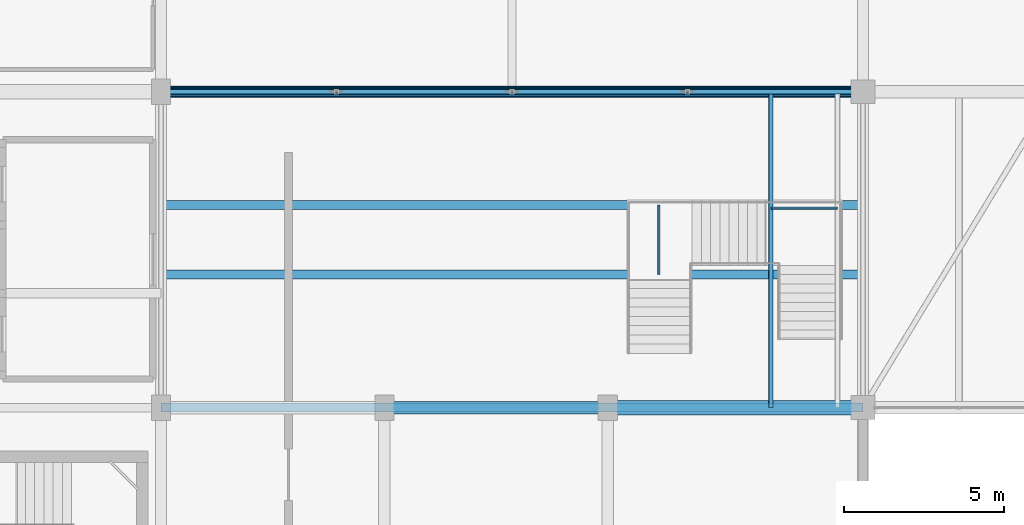
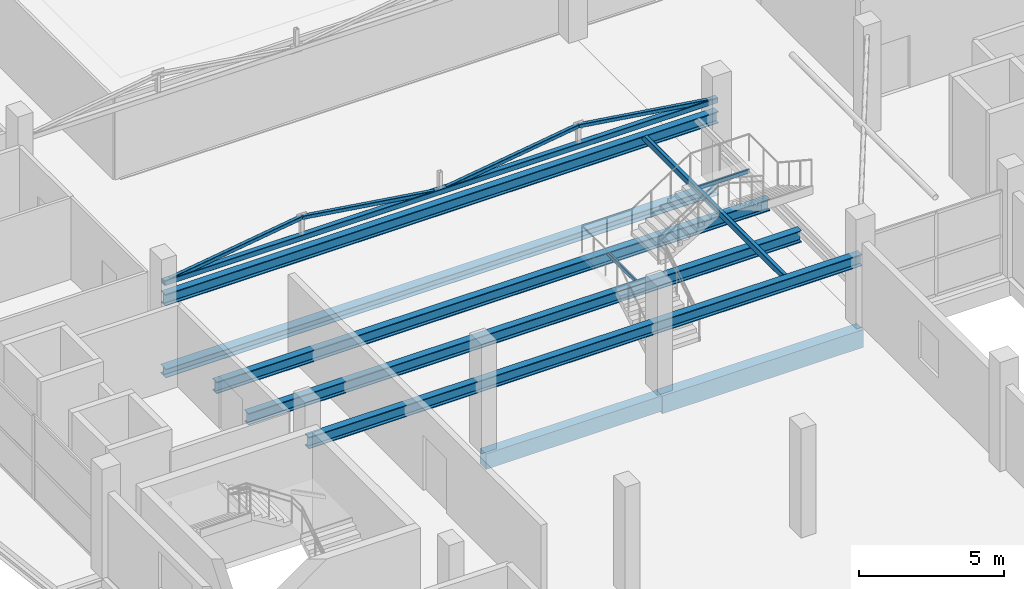
# One storey, part 11 of 55: 10 beams, 5 members.
"""IFC4 building model written with IfcOpenShell, lengths in metres."""

from ifc_helpers import new_model, si_unit, direction, frame, origin, origin_2d, place, context, subcontext, project, spatial, rectangle, hollow_rectangle, i_section, extrude, material, material_profile, profile_set, type_object, element, save


model = new_model("IFC4")

# Units and contexts
model_context = context("Model", 3, precision=1e-05, world=origin(), true_north=direction((0.0, 1.0)))
body_context = subcontext(model_context, "Body", "Model", "MODEL_VIEW")
ifc_project = project(units=[si_unit("LENGTHUNIT", "METRE"), si_unit("AREAUNIT", "SQUARE_METRE"), si_unit("VOLUMEUNIT", "CUBIC_METRE"), si_unit("PLANEANGLEUNIT", "RADIAN"), si_unit("MASSUNIT", "GRAM", prefix="KILO")], contexts=[model_context])

# Site, building, storey
site_placement = place(None, origin())
site = spatial("IfcSite", under=ifc_project, at=site_placement, CompositionType="ELEMENT")
building_placement = place(site_placement, origin())
building = spatial("IfcBuilding", under=site, at=building_placement, Name="Sillaruma Civic Art Gallery", CompositionType="ELEMENT")
storey_placement = place(building_placement, frame((0.0, 0.0, 37.739990234375)))
storey = spatial("IfcBuildingStorey", under=building, at=storey_placement, Name="L07", CompositionType="ELEMENT", Elevation=37.739990234375)

# Beams
ifc_material_1 = material(Name="Concrete H35 (35 MPa)", Category="concrete")
ifc_material_profile_1 = material_profile(ifc_material_1, rectangle(XDim=0.39990234375, YDim=0.64990234375, at=origin_2d()), Name="RCB400x650")
ifc_profile_set_1 = profile_set([ifc_material_profile_1], Name="Concrete H35 (35 MPa)")
beam_type_1 = type_object("IfcBeamType", Name="BM-BEAM-RCB400x650", PredefinedType="BEAM", material=ifc_profile_set_1)
beam_1_placement = place(storey_placement, frame((77.0, 39.60009765625, -0.56494140625), z_axis=(1.0, 0.0, 0.0), x_axis=(0.0, 1.0, 0.0)))
element("IfcBeam", 1, at=beam_1_placement, inside=storey, type_object=beam_type_1, Name="Beam BM-05 (L06:5:H-J)", PredefinedType="BEAM", context=body_context, shape_type="SweptSolid", body=[
    extrude(rectangle(XDim=0.39990234375, YDim=0.64990234375, at=origin_2d()), origin(), (0.0, 0.0, 1.0), 7.0),
])
ifc_material_2 = material(Name="Concrete H40 (40 MPa)", Category="concrete")
ifc_material_profile_2 = material_profile(ifc_material_2, rectangle(XDim=0.449951171875, YDim=0.75, at=origin_2d()), Name="RCB450x750")
ifc_profile_set_2 = profile_set([ifc_material_profile_2], Name="Concrete H40 (40 MPa)")
beam_type_2 = type_object("IfcBeamType", Name="BM-BEAM-RCB450x750", PredefinedType="BEAM", material=ifc_profile_set_2)
beam_2_placement = place(storey_placement, frame((84.0, 39.60009765625, -0.614990234375), z_axis=(1.0, 0.0, 0.0), x_axis=(0.0, 1.0, 0.0)))
element("IfcBeam", 2, at=beam_2_placement, inside=storey, type_object=beam_type_2, Name="Beam BM-03 (L06:5:J-K)", PredefinedType="BEAM", context=body_context, shape_type="SweptSolid", body=[
    extrude(rectangle(XDim=0.449951171875, YDim=0.75, at=origin_2d()), origin(), (0.0, 0.0, 1.0), 8.0),
])
ifc_material_3 = material(Name="Structural Steel ASTM A500 Gr.C", Category="steel")
ifc_material_profile_3 = material_profile(ifc_material_3, hollow_rectangle(XDim=0.080078125, YDim=0.159912109375, WallThickness=0.008056640625, InnerFilletRadius=0.008056640625, OuterFilletRadius=0.01611328125, at=origin_2d()), Name="HSS160x80x8")
ifc_profile_set_3 = profile_set([ifc_material_profile_3], Name="Structural Steel ASTM A500 Gr.C")
beam_type_3 = type_object("IfcBeamType", Name="BM-FS-HSS160", PredefinedType="BEAM", material=ifc_profile_set_3)
beam_3_placement = place(storey_placement, frame((85.60009765625, 43.77001953125, 1.264892578125), z_axis=(0.0, 1.0, 0.0), x_axis=(-1.0, 0.0, 0.0)))
element("IfcBeam", 3, at=beam_3_placement, inside=storey, type_object=beam_type_3, Name="Feature Stair L1 Spreader (ST-G04)", PredefinedType="BEAM", context=body_context, shape_type="SweptSolid", body=[
    extrude(hollow_rectangle(XDim=0.080078125, YDim=0.159912109375, WallThickness=0.008056640625, InnerFilletRadius=0.008056640625, OuterFilletRadius=0.01611328125, at=origin_2d()), origin(), (0.0, 0.0, 1.0), 2.179931640625),
])
beam_4_placement = place(storey_placement, frame((89.110107421875, 45.85009765625, 2.794921875), z_axis=(1.0, 0.0, 0.0), x_axis=(0.0, 1.0, 0.0)))
element("IfcBeam", 4, at=beam_4_placement, inside=storey, type_object=beam_type_3, Name="Feature Stair L2 Spreader (ST-G04)", PredefinedType="BEAM", context=body_context, shape_type="SweptSolid", body=[
    extrude(hollow_rectangle(XDim=0.080078125, YDim=0.159912109375, WallThickness=0.008056640625, InnerFilletRadius=0.008056640625, OuterFilletRadius=0.01611328125, at=origin_2d()), origin(), (0.0, 0.0, 1.0), 2.08984375),
])
ifc_material_profile_4 = material_profile(ifc_material_3, hollow_rectangle(XDim=0.14990234375, YDim=0.25, WallThickness=0.010009765625, InnerFilletRadius=0.010009765625, OuterFilletRadius=0.02001953125, at=origin_2d()), Name="HSS250x150x10")
ifc_profile_set_4 = profile_set([ifc_material_profile_4], Name="Structural Steel ASTM A500 Gr.C")
beam_type_4 = type_object("IfcBeamType", Name="BM-LND-HSS200", PredefinedType="BEAM", material=ifc_profile_set_4)
beam_5_placement = place(storey_placement, frame((89.110107421875, 39.60009765625, 2.75), z_axis=(0.0, 1.0, 0.0), x_axis=(-1.0, 0.0, 0.0)))
element("IfcBeam", 5, at=beam_5_placement, inside=storey, type_object=beam_type_4, Name="Feature Stair L2 Girder (ST-G04-1)", PredefinedType="BEAM", context=body_context, shape_type="SweptSolid", body=[
    extrude(hollow_rectangle(XDim=0.14990234375, YDim=0.25, WallThickness=0.010009765625, InnerFilletRadius=0.010009765625, OuterFilletRadius=0.02001953125, at=origin_2d()), origin(), (0.0, 0.0, 1.0), 9.89990234375),
])
ifc_material_4 = material(Name="Structural Steel ASTM A992 Gr.50", Category="steel")
ifc_material_profile_5 = material_profile(ifc_material_4, i_section(OverallWidth=0.282958984375, OverallDepth=0.489013671875, WebThickness=0.01708984375, FlangeThickness=0.030517578125, FilletRadius=0.014892578125, at=origin_2d()), Name="W460x193")
ifc_profile_set_5 = profile_set([ifc_material_profile_5], Name="Structural Steel ASTM A992 Gr.50")
beam_type_5 = type_object("IfcBeamType", Name="BM-LND-W460", PredefinedType="BEAM", material=ifc_profile_set_5)
for number, where, z_axis, x_axis, name in (
    (6, (70.0, 43.77001953125, 1.1005859375), (1.0, 0.0, 0.0), (0.0, 1.0, 0.0), "Feature Stair L1 Girder (ST-G04-1)"),
    (7, (70.0, 45.949951171875, 1.1005859375), (1.0, 0.0, 0.0), (0.0, 1.0, 0.0), "Feature Stair L1 Girder (ST-G04-2)"),
    (8, (70.0, 39.60009765625, 2.630615234375), (1.0, 0.0, 0.0), (0.0, 1.0, 0.0), "Feature Stair L2 Rail (ST-G04-S)"),
    (9, (70.0, 49.5, 2.630615234375), (1.0, 0.0, 0.0), (0.0, 1.0, 0.0), "Feature Stair L2 Rail (ST-G04-N)"),
):
    element("IfcBeam", number, at=place(storey_placement, frame(where, z_axis=z_axis, x_axis=x_axis)), inside=storey, type_object=beam_type_5, Name=name, PredefinedType="BEAM", context=body_context, shape_type="SweptSolid", body=[
        extrude(i_section(OverallWidth=0.282958984375, OverallDepth=0.489013671875, WebThickness=0.01708984375, FlangeThickness=0.030517578125, FilletRadius=0.014892578125, at=origin_2d()), origin(), (0.0, 0.0, 1.0), 22.0),
    ])
ifc_material_profile_6 = material_profile(ifc_material_4, i_section(OverallWidth=0.37109375, OverallDepth=0.364013671875, WebThickness=0.01318359375, FlangeThickness=0.021728515625, FilletRadius=0.014892578125, at=origin_2d()), Name="W360x162")
ifc_profile_set_6 = profile_set([ifc_material_profile_6], Name="Structural Steel ASTM A992 Gr.50")
beam_type_6 = type_object("IfcBeamType", Name="BM-TRTOP-W360x162", PredefinedType="BEAM", material=ifc_profile_set_6)
beam_6_placement = place(storey_placement, frame((70.0, 49.5, -0.421875), z_axis=(1.0, 0.0, 0.0), x_axis=(0.0, 1.0, 0.0)))
element("IfcBeam", 10, at=beam_6_placement, inside=storey, type_object=beam_type_6, Name="Warren Truss Top Chord TR-L06-1", PredefinedType="BEAM", context=body_context, shape_type="SweptSolid", body=[
    extrude(i_section(OverallWidth=0.37109375, OverallDepth=0.364013671875, WebThickness=0.01318359375, FlangeThickness=0.021728515625, FilletRadius=0.014892578125, at=origin_2d()), origin(), (0.0, 0.0, 1.0), 22.0),
])

# Members
ifc_material_profile_7 = material_profile(ifc_material_3, hollow_rectangle(XDim=0.14990234375, YDim=0.14990234375, WallThickness=0.010009765625, InnerFilletRadius=0.010009765625, OuterFilletRadius=0.02001953125, at=origin_2d()), Name="HSS150x150x10")
ifc_profile_set_7 = profile_set([ifc_material_profile_7], Name="Structural Steel ASTM A500 Gr.C")
member_type_1 = type_object("IfcMemberType", Name="MEM-BRACE-HSS150x150x10", PredefinedType="BRACE", material=ifc_profile_set_7)
for number, where, z_axis, x_axis, name in (
    (11, (70.0, 49.5, 3.320068359375), (0.989384036218, 0.0, 0.145324563914), (0.0, 1.0, 0.0), "Warren Truss Diagonal TR-L07-1-D1"),
    (12, (75.5, 49.5, 4.1279296875), (0.989384036218, 0.0, -0.145324563914), (0.0, 1.0, 0.0), "Warren Truss Diagonal TR-L07-1-D2"),
    (13, (81.0, 49.5, 3.320068359375), (0.989384036218, 0.0, 0.145324563914), (0.0, 1.0, 0.0), "Warren Truss Diagonal TR-L07-1-D3"),
    (14, (86.5, 49.5, 4.1279296875), (0.989384036218, 0.0, -0.145324563914), (0.0, 1.0, 0.0), "Warren Truss Diagonal TR-L07-1-D4"),
):
    element("IfcMember", number, at=place(storey_placement, frame(where, z_axis=z_axis, x_axis=x_axis)), inside=storey, type_object=member_type_1, Name=name, PredefinedType="BRACE", context=body_context, shape_type="SweptSolid", body=[
        extrude(hollow_rectangle(XDim=0.14990234375, YDim=0.14990234375, WallThickness=0.010009765625, InnerFilletRadius=0.010009765625, OuterFilletRadius=0.02001953125, at=origin_2d()), origin(), (0.0, 0.0, 1.0), 5.55908203125),
    ])
ifc_material_profile_8 = material_profile(ifc_material_3, hollow_rectangle(XDim=0.219970703125, YDim=0.219970703125, WallThickness=0.012451171875, InnerFilletRadius=0.012451171875, OuterFilletRadius=0.02490234375, at=origin_2d()), Name="HSS220x220x12.5")
ifc_profile_set_8 = profile_set([ifc_material_profile_8], Name="Structural Steel ASTM A500 Gr.C")
member_type_2 = type_object("IfcMemberType", Name="MEM-CHORD-HSS220x220x12.5", PredefinedType="CHORD", material=ifc_profile_set_8)
member_placement = place(storey_placement, frame((70.0, 49.5, 3.320068359375), z_axis=(1.0, 0.0, 0.0), x_axis=(0.0, 1.0, 0.0)))
element("IfcMember", 15, at=member_placement, inside=storey, type_object=member_type_2, Name="Warren Truss Bottom Chord TR-L07-1", PredefinedType="CHORD", context=body_context, shape_type="SweptSolid", body=[
    extrude(hollow_rectangle(XDim=0.219970703125, YDim=0.219970703125, WallThickness=0.012451171875, InnerFilletRadius=0.012451171875, OuterFilletRadius=0.02490234375, at=origin_2d()), origin(), (0.0, 0.0, 1.0), 22.0),
])

save(model, "model.ifc")
